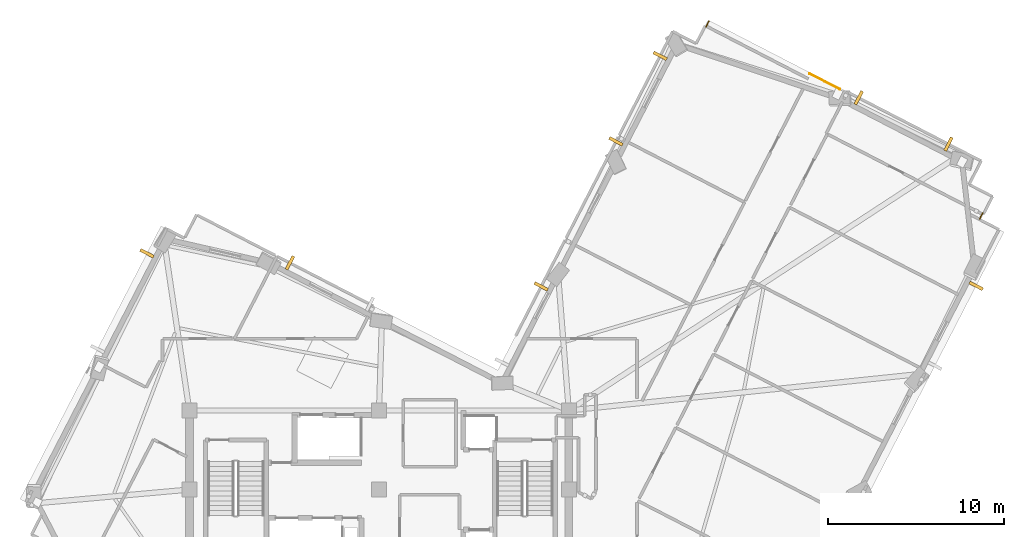
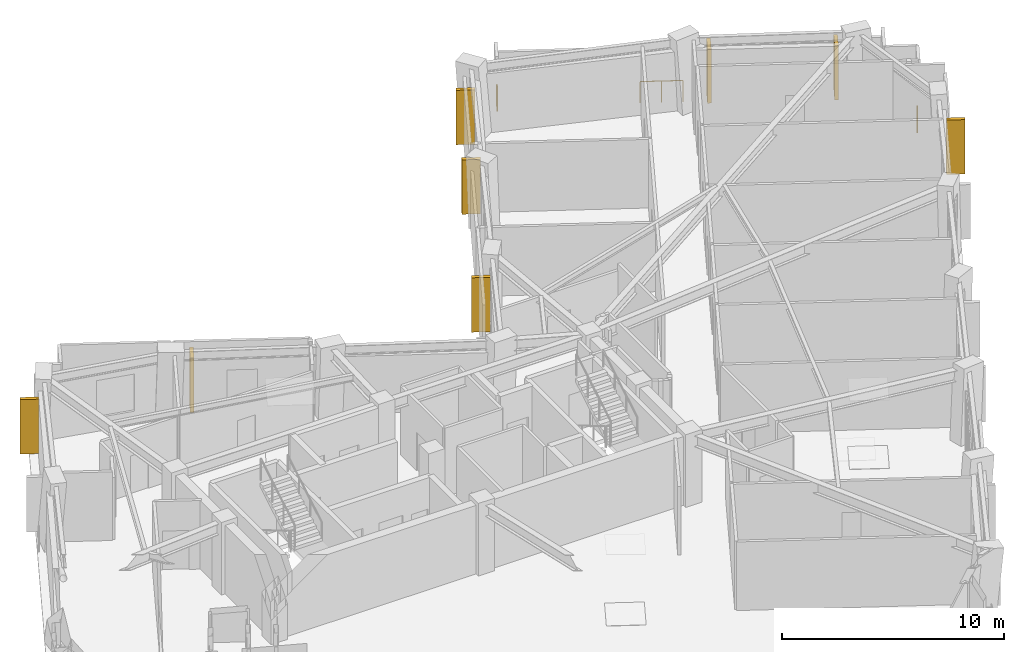
# One storey, part 11 of 11: 8 shading devices, 3 railings.
"""IFC4 building model written with IfcOpenShell, lengths in metres."""

from ifc_helpers import new_model, si_unit, direction, frame, origin, origin_2d, place, context, subcontext, project, spatial, rectangle, circle, extrude, material, layer, layer_set, type_object, element, save


model = new_model("IFC4")

# Units and contexts
model_context = context("Model", 3, precision=1e-05, world=origin(), true_north=direction((0.0, 1.0)))
body_context = subcontext(model_context, "Body", "Model", "MODEL_VIEW")
ifc_project = project(units=[si_unit("LENGTHUNIT", "METRE"), si_unit("AREAUNIT", "SQUARE_METRE"), si_unit("VOLUMEUNIT", "CUBIC_METRE"), si_unit("PLANEANGLEUNIT", "RADIAN"), si_unit("MASSUNIT", "GRAM", prefix="KILO")], contexts=[model_context])

# Site, building, storey
site_placement = place(None, origin())
site = spatial("IfcSite", under=ifc_project, at=site_placement, CompositionType="ELEMENT")
building_placement = place(site_placement, origin())
building = spatial("IfcBuilding", under=site, at=building_placement, Name="Gaonmaruhae Medical Tower", CompositionType="ELEMENT")
storey_placement = place(building_placement, frame((0.0, 0.0, 292.60009765625)))
storey = spatial("IfcBuildingStorey", under=building, at=storey_placement, Name="L70", CompositionType="ELEMENT", Elevation=292.60009765625)

# Railings
ifc_material_1 = material(Name="Stainless steel 316L and laminated safety glass", Category="steel")
ifc_layer = layer(ifc_material_1, 0.080078125)
ifc_layer_set = layer_set([ifc_layer], Name="Stainless steel 316L and laminated safety glass")
railing_type = type_object("IfcRailingType", Name="GD-120 Outdoor Terrace Safety Glass & Steel Balustrade", PredefinedType="BALUSTRADE", material=ifc_layer_set)
railing_1_placement = place(storey_placement, frame((43.4052734375, 38.6298828125, 0.0)))
element("IfcRailing", 1, at=railing_1_placement, inside=storey, type_object=railing_type, Name="L70 Perimeter Slab Edge Safety Balustrade 02", PredefinedType="BALUSTRADE", context=body_context, shape_type="SweptSolid", body=[
    extrude(circle(Radius=0.02392578125, at=origin_2d()), frame((0.0, 0.0, 1.17578125), z_axis=(0.458595497352, 0.888645131539, 0.0), x_axis=(-0.888645131539, 0.458595497352, 0.0)), (0.0, 0.0, 1.0), 0.393310546875),
    extrude(circle(Radius=0.02099609375, at=origin_2d()), origin(), (0.0, 0.0, 1.0), 1.15185546875),
    extrude(circle(Radius=0.02099609375, at=origin_2d()), frame((0.180419921875, 0.349609375, 0.0)), (0.0, 0.0, 1.0), 1.15185546875),
])
railing_2_placement = place(storey_placement, frame((49.300537109375, 35.973388671875, 0.0)))
element("IfcRailing", 2, at=railing_2_placement, inside=storey, type_object=railing_type, Name="L70 Perimeter Slab Edge Safety Balustrade 03", PredefinedType="BALUSTRADE", context=body_context, shape_type="SweptSolid", body=[
    extrude(circle(Radius=0.02392578125, at=origin_2d()), frame((0.0, 0.0, 1.17578125), z_axis=(0.888632204422, -0.458620546055, 0.0), x_axis=(0.458620546055, 0.888632204422, 0.0)), (0.0, 0.0, 1.0), 1.94580078125),
    extrude(circle(Radius=0.02099609375, at=origin_2d()), origin(), (0.0, 0.0, 1.0), 1.15185546875),
    extrude(circle(Radius=0.02099609375, at=origin_2d()), frame((0.864501953125, -0.4462890625, 0.0)), (0.0, 0.0, 1.0), 1.15185546875),
    extrude(circle(Radius=0.02099609375, at=origin_2d()), frame((1.72900390625, -0.892333984375, 0.0)), (0.0, 0.0, 1.0), 1.15185546875),
])
railing_3_placement = place(storey_placement, frame((59.167724609375, 28.048583984375, 0.0)))
element("IfcRailing", 3, at=railing_3_placement, inside=storey, type_object=railing_type, Name="L70 Perimeter Slab Edge Safety Balustrade 04", PredefinedType="BALUSTRADE", context=body_context, shape_type="SweptSolid", body=[
    extrude(circle(Radius=0.02392578125, at=origin_2d()), frame((0.0, 0.0, 1.17578125), z_axis=(-0.458595497352, -0.888645131539, 0.0), x_axis=(0.888645131539, -0.458595497352, 0.0)), (0.0, 0.0, 1.0), 0.393310546875),
    extrude(circle(Radius=0.02099609375, at=origin_2d()), origin(), (0.0, 0.0, 1.0), 1.15185546875),
    extrude(circle(Radius=0.02099609375, at=origin_2d()), frame((-0.180419921875, -0.349609375, 0.0)), (0.0, 0.0, 1.0), 1.15185546875),
])

# Shading devices
ifc_material_2 = material(Name="Pigmented coral precast concrete C45/55", Category="concrete")
shading_device_type = type_object("IfcShadingDeviceType", Name="SD-FIN1 Tower Vertical Coral Precast Shading Fin", PredefinedType="USERDEFINED", material=ifc_material_2)
for number, where, z_axis, x_axis, name in (
    (4, (58.785888671875, 23.896240234375, 0.13232421875), (0.0, 0.0, 1.0), (-0.458649554484, -0.888617232655, 0.0), "L70 Vertical Coral Precast Shading Fin S05"),
    (5, (52.10400390625, 34.599609375, 0.13232421875), (0.0, 0.0, 1.0), (0.888617232655, -0.458649554484, 0.0), "L70 Vertical Coral Precast Shading Fin E01"),
    (6, (57.210205078125, 31.964111328125, 0.13232421875), (0.0, 0.0, 1.0), (0.888617232655, -0.458649554484, 0.0), "L70 Vertical Coral Precast Shading Fin E01B"),
    (7, (38.2841796875, 32.1201171875, 0.13232421875), (0.0, 0.0, 1.0), (0.458649554484, 0.888617232655, 0.0), "L70 Vertical Coral Precast Shading Fin E03"),
    (8, (40.79736328125, 36.989501953125, 0.13232421875), (0.0, 0.0, 1.0), (0.458649554484, 0.888617232655, 0.0), "L70 Vertical Coral Precast Shading Fin E03B"),
    (9, (34.0234375, 23.865234375, 0.13232421875), (0.0, 0.0, 1.0), (0.458649554484, 0.888617232655, 0.0), "L70 Vertical Coral Precast Shading Fin EN02B"),
    (10, (19.726318359375, 25.203125, 0.13232421875), (0.0, 0.0, 1.0), (0.888617232655, -0.458649554484, 0.0), "L70 Vertical Coral Precast Shading Fin NE01"),
    (11, (11.58837890625, 25.748779296875, 0.13232421875), (0.0, 0.0, 1.0), (0.458649554484, 0.888617232655, 0.0), "L70 Vertical Coral Precast Shading Fin N01B"),
):
    element("IfcShadingDevice", number, at=place(storey_placement, frame(where, z_axis=z_axis, x_axis=x_axis)), inside=storey, type_object=shading_device_type, Name=name, ObjectType="FIN", PredefinedType="USERDEFINED", context=body_context, shape_type="SweptSolid", body=[
        extrude(rectangle(XDim=0.179931640625, YDim=0.85009765625, at=origin_2d()), origin(), (0.0, 0.0, 1.0), 3.0),
    ])

save(model, "model.ifc")
